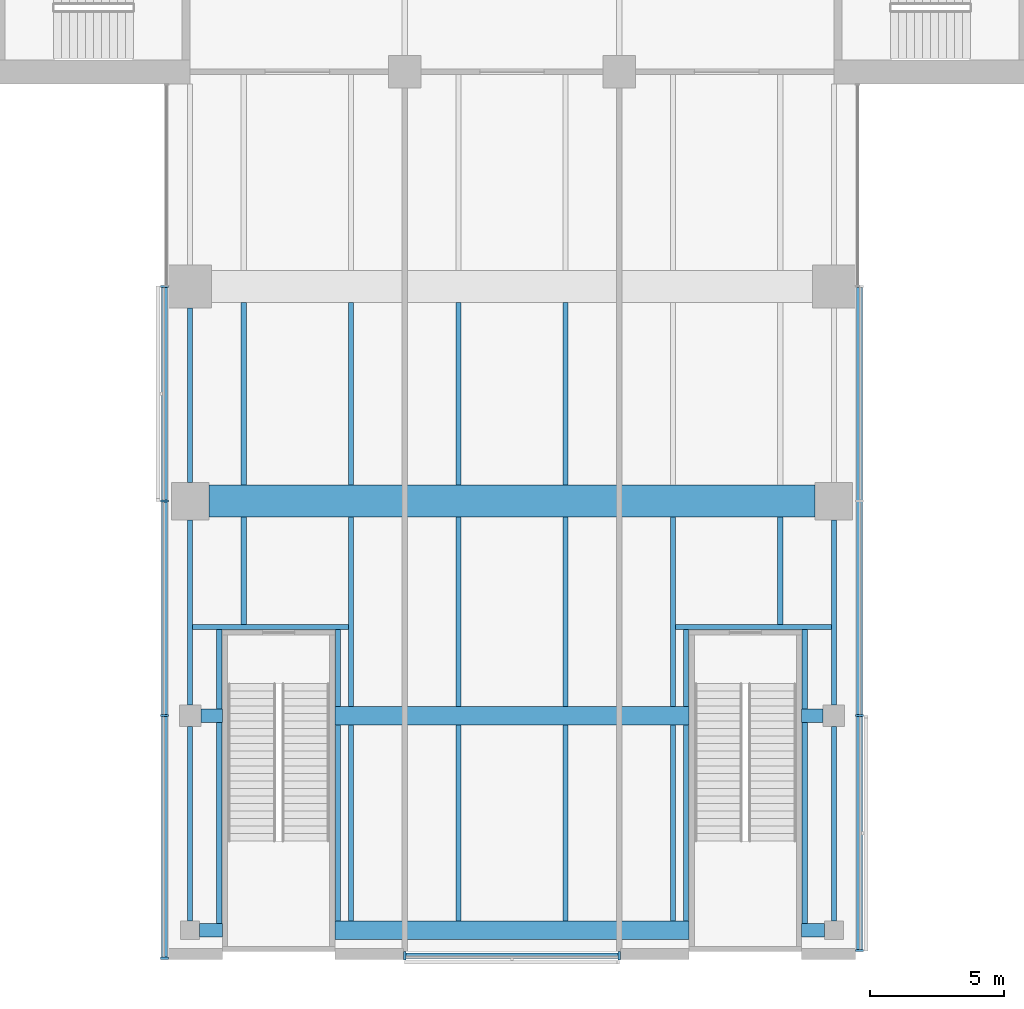
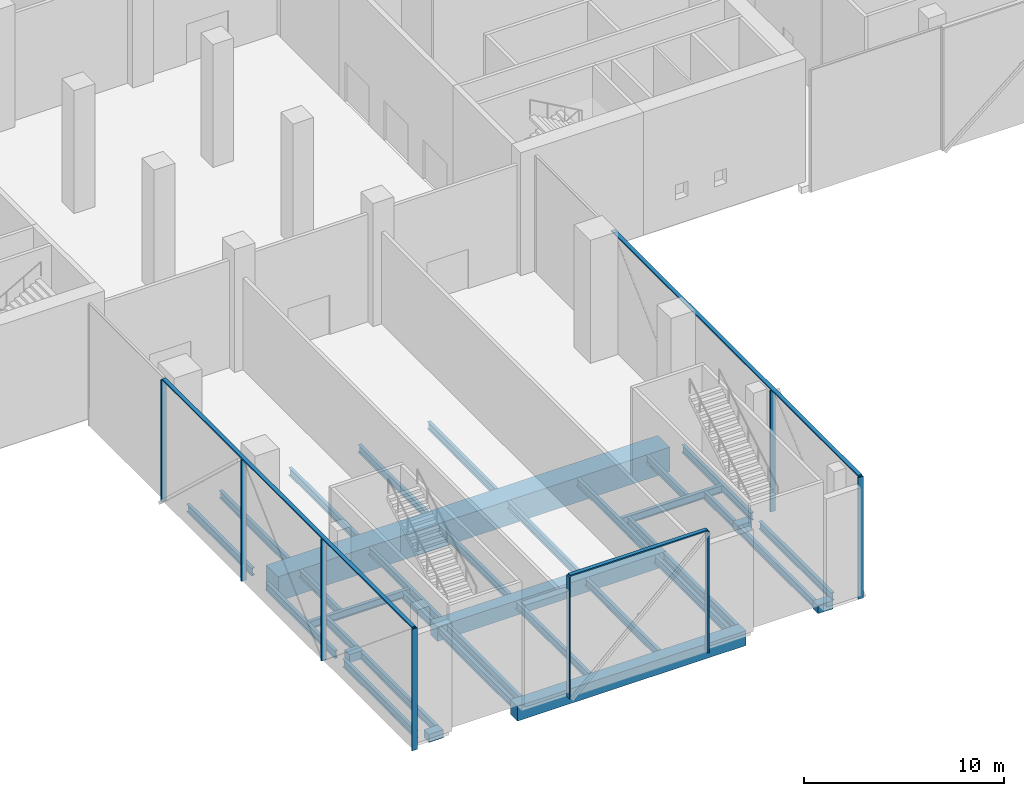
# One storey, part 2 of 25: 36 beams, 11 members, 3 elements without a shape of their own.
"""IFC4 building model written with IfcOpenShell, lengths in metres."""

from ifc_helpers import new_model, si_unit, direction, frame, origin, origin_2d, place, context, subcontext, project, spatial, rectangle, i_section, extrude, material, material_profile, profile_set, type_object, element, aggregate, save


model = new_model("IFC4")

# Units and contexts
model_context = context("Model", 3, precision=1e-05, world=origin(), true_north=direction((0.0, 1.0)))
body_context = subcontext(model_context, "Body", "Model", "MODEL_VIEW")
ifc_project = project(units=[si_unit("LENGTHUNIT", "METRE"), si_unit("AREAUNIT", "SQUARE_METRE"), si_unit("VOLUMEUNIT", "CUBIC_METRE"), si_unit("PLANEANGLEUNIT", "RADIAN"), si_unit("MASSUNIT", "GRAM", prefix="KILO")], contexts=[model_context])

# Site, building, storey
site_placement = place(None, origin())
site = spatial("IfcSite", under=ifc_project, at=site_placement, CompositionType="ELEMENT")
building_placement = place(site_placement, origin())
building = spatial("IfcBuilding", under=site, at=building_placement, Name="Crosswind Convention Tower", CompositionType="ELEMENT")
storey_placement = place(building_placement, frame((0.0, 0.0, 17.5)))
storey = spatial("IfcBuildingStorey", under=building, at=storey_placement, Name="L02", CompositionType="ELEMENT", Elevation=17.5)

# Beams
ifc_material_1 = material(Name="Steel S355", Category="steel")
ifc_material_profile_1 = material_profile(ifc_material_1, i_section(OverallWidth=0.19287109375, OverallDepth=0.467529296875, WebThickness=0.011474609375, FlangeThickness=0.01953125, FilletRadius=0.01025390625, at=origin_2d()), Name="UB 457x191x98")
ifc_profile_set_1 = profile_set([ifc_material_profile_1], Name="Steel S355")
beam_type_1 = type_object("IfcBeamType", Name="Edge beam UB 457x191x98", PredefinedType="SPANDREL", material=ifc_profile_set_1)
beam_1_placement = place(storey_placement, frame((113.0, 56.35009765625, -0.6337890625), z_axis=(0.0, 1.0, 0.0), x_axis=(-1.0, 0.0, 0.0)))
element("IfcBeam", 1, at=beam_1_placement, inside=storey, type_object=beam_type_1, Name="B20 L02 edge beam 5", PredefinedType="SPANDREL", context=body_context, shape_type="SweptSolid", body=[
    extrude(i_section(OverallWidth=0.19287109375, OverallDepth=0.467529296875, WebThickness=0.011474609375, FlangeThickness=0.01953125, FilletRadius=0.01025390625, at=origin_2d()), origin(), (0.0, 0.0, 1.0), 7.25),
])
beam_2_placement = place(storey_placement, frame((113.0, 64.39990234375, -0.6337890625), z_axis=(0.0, 1.0, 0.0), x_axis=(-1.0, 0.0, 0.0)))
element("IfcBeam", 2, at=beam_2_placement, inside=storey, type_object=beam_type_1, Name="B20 L02 edge beam 6", PredefinedType="SPANDREL", context=body_context, shape_type="SweptSolid", body=[
    extrude(i_section(OverallWidth=0.19287109375, OverallDepth=0.467529296875, WebThickness=0.011474609375, FlangeThickness=0.01953125, FilletRadius=0.01025390625, at=origin_2d()), origin(), (0.0, 0.0, 1.0), 6.900146484375),
])
beam_3_placement = place(storey_placement, frame((113.0, 72.699951171875, -0.6337890625), z_axis=(0.0, 1.0, 0.0), x_axis=(-1.0, 0.0, 0.0)))
element("IfcBeam", 3, at=beam_3_placement, inside=storey, type_object=beam_type_1, Name="B20 L02 edge beam 7", PredefinedType="SPANDREL", context=body_context, shape_type="SweptSolid", body=[
    extrude(i_section(OverallWidth=0.19287109375, OverallDepth=0.467529296875, WebThickness=0.011474609375, FlangeThickness=0.01953125, FilletRadius=0.01025390625, at=origin_2d()), origin(), (0.0, 0.0, 1.0), 6.5),
])
beam_4_placement = place(storey_placement, frame((137.0, 56.35009765625, -0.6337890625), z_axis=(0.0, 1.0, 0.0), x_axis=(-1.0, 0.0, 0.0)))
element("IfcBeam", 4, at=beam_4_placement, inside=storey, type_object=beam_type_1, Name="B20 L02 edge beam 13", PredefinedType="SPANDREL", context=body_context, shape_type="SweptSolid", body=[
    extrude(i_section(OverallWidth=0.19287109375, OverallDepth=0.467529296875, WebThickness=0.011474609375, FlangeThickness=0.01953125, FilletRadius=0.01025390625, at=origin_2d()), origin(), (0.0, 0.0, 1.0), 7.25),
])
beam_5_placement = place(storey_placement, frame((137.0, 64.39990234375, -0.6337890625), z_axis=(0.0, 1.0, 0.0), x_axis=(-1.0, 0.0, 0.0)))
element("IfcBeam", 5, at=beam_5_placement, inside=storey, type_object=beam_type_1, Name="B20 L02 edge beam 14", PredefinedType="SPANDREL", context=body_context, shape_type="SweptSolid", body=[
    extrude(i_section(OverallWidth=0.19287109375, OverallDepth=0.467529296875, WebThickness=0.011474609375, FlangeThickness=0.01953125, FilletRadius=0.01025390625, at=origin_2d()), origin(), (0.0, 0.0, 1.0), 6.900146484375),
])

# Curtain wall, members
ifc_material_2 = material(Name="Aluminium unitised curtain wall", Category="aluminium")
curtain_wall_type = type_object("IfcCurtainWallType", Name="PODIUM UNITISED WALL 300", PredefinedType="USERDEFINED", material=ifc_material_2)
curtain_wall_1_placement = place(storey_placement, origin())
curtain_wall_1 = element("IfcCurtainWall", 6, at=curtain_wall_1_placement, inside=storey, type_object=curtain_wall_type, Name="CW1 L02 S-W 1", ObjectType="UNITISED", PredefinedType="USERDEFINED")
ifc_material_3 = material(Name="Aluminium mullion", Category="aluminium")
ifc_material_profile_2 = material_profile(ifc_material_3, rectangle(XDim=0.300048828125, YDim=0.080078125, at=origin_2d()), Name="AL 300X80")
ifc_profile_set_2 = profile_set([ifc_material_profile_2], Name="Aluminium mullion")
member_type_1 = type_object("IfcMemberType", Name="MULLION 80X300", PredefinedType="MULLION", material=ifc_profile_set_2)
member_1_placement = place(storey_placement, frame((112.050048828125, 80.0, -0.39990234375), z_axis=(0.0, 0.0, 1.0), x_axis=(-1.0, 0.0, 0.0)))
member_1 = element("IfcMember", 7, at=member_1_placement, type_object=member_type_1, Name="CW1 mullion 1", PredefinedType="MULLION", context=body_context, shape_type="SweptSolid", body=[
    extrude(rectangle(XDim=0.300048828125, YDim=0.080078125, at=origin_2d()), origin(), (0.0, 0.0, 1.0), 7.419921875),
])
member_2_placement = place(storey_placement, frame((112.050048828125, 72.0, -0.39990234375), z_axis=(0.0, 0.0, 1.0), x_axis=(-1.0, 0.0, 0.0)))
member_2 = element("IfcMember", 8, at=member_2_placement, type_object=member_type_1, Name="CW1 mullion 2", PredefinedType="MULLION", context=body_context, shape_type="SweptSolid", body=[
    extrude(rectangle(XDim=0.300048828125, YDim=0.080078125, at=origin_2d()), origin(), (0.0, 0.0, 1.0), 7.419921875),
])
member_3_placement = place(storey_placement, frame((112.050048828125, 64.0, -0.39990234375), z_axis=(0.0, 0.0, 1.0), x_axis=(-1.0, 0.0, 0.0)))
member_3 = element("IfcMember", 9, at=member_3_placement, type_object=member_type_1, Name="CW1 mullion 3", PredefinedType="MULLION", context=body_context, shape_type="SweptSolid", body=[
    extrude(rectangle(XDim=0.300048828125, YDim=0.080078125, at=origin_2d()), origin(), (0.0, 0.0, 1.0), 7.419921875),
])
member_4_placement = place(storey_placement, frame((112.050048828125, 54.955078125, -0.39990234375), z_axis=(0.0, 0.0, 1.0), x_axis=(-1.0, 0.0, 0.0)))
member_4 = element("IfcMember", 10, at=member_4_placement, type_object=member_type_1, Name="CW1 mullion 4", PredefinedType="MULLION", context=body_context, shape_type="SweptSolid", body=[
    extrude(rectangle(XDim=0.300048828125, YDim=0.080078125, at=origin_2d()), origin(), (0.0, 0.0, 1.0), 7.419921875),
])

curtain_wall_2_placement = place(storey_placement, origin())
curtain_wall_2 = element("IfcCurtainWall", 11, at=curtain_wall_2_placement, inside=storey, type_object=curtain_wall_type, Name="CW1 L02 S-TIP 1", ObjectType="UNITISED", PredefinedType="USERDEFINED")
member_5_placement = place(storey_placement, frame((121.0, 55.050048828125, -0.39990234375), z_axis=(0.0, 0.0, 1.0), x_axis=(0.0, -1.0, 0.0)))
member_5 = element("IfcMember", 12, at=member_5_placement, type_object=member_type_1, Name="CW1 mullion 1", PredefinedType="MULLION", context=body_context, shape_type="SweptSolid", body=[
    extrude(rectangle(XDim=0.300048828125, YDim=0.080078125, at=origin_2d()), origin(), (0.0, 0.0, 1.0), 7.419921875),
])
member_6_placement = place(storey_placement, frame((129.0, 55.050048828125, -0.39990234375), z_axis=(0.0, 0.0, 1.0), x_axis=(0.0, -1.0, 0.0)))
member_6 = element("IfcMember", 13, at=member_6_placement, type_object=member_type_1, Name="CW1 mullion 2", PredefinedType="MULLION", context=body_context, shape_type="SweptSolid", body=[
    extrude(rectangle(XDim=0.300048828125, YDim=0.080078125, at=origin_2d()), origin(), (0.0, 0.0, 1.0), 7.419921875),
])

curtain_wall_3_placement = place(storey_placement, origin())
curtain_wall_3 = element("IfcCurtainWall", 14, at=curtain_wall_3_placement, inside=storey, type_object=curtain_wall_type, Name="CW1 L02 S-E 1", ObjectType="UNITISED", PredefinedType="USERDEFINED")
member_7_placement = place(storey_placement, frame((137.949951171875, 55.239990234375, -0.39990234375), z_axis=(0.0, 0.0, 1.0), x_axis=(1.0, 0.0, 0.0)))
member_7 = element("IfcMember", 15, at=member_7_placement, type_object=member_type_1, Name="CW1 mullion 1", PredefinedType="MULLION", context=body_context, shape_type="SweptSolid", body=[
    extrude(rectangle(XDim=0.300048828125, YDim=0.080078125, at=origin_2d()), origin(), (0.0, 0.0, 1.0), 7.419921875),
])
member_8_placement = place(storey_placement, frame((137.949951171875, 64.0, -0.39990234375), z_axis=(0.0, 0.0, 1.0), x_axis=(1.0, 0.0, 0.0)))
member_8 = element("IfcMember", 16, at=member_8_placement, type_object=member_type_1, Name="CW1 mullion 2", PredefinedType="MULLION", context=body_context, shape_type="SweptSolid", body=[
    extrude(rectangle(XDim=0.300048828125, YDim=0.080078125, at=origin_2d()), origin(), (0.0, 0.0, 1.0), 7.419921875),
])

# Beams
ifc_material_4 = material(Name="Concrete C70/85", Category="concrete")
ifc_material_profile_3 = material_profile(ifc_material_4, rectangle(XDim=1.199951171875, YDim=1.5, at=origin_2d()), Name="RC 1200X1500")
ifc_profile_set_3 = profile_set([ifc_material_profile_3], Name="Concrete C70/85")
beam_type_2 = type_object("IfcBeamType", Name="Prestressed concrete girder RC 1200X1500", PredefinedType="BEAM", material=ifc_profile_set_3)
beam_6_placement = place(storey_placement, frame((113.699951171875, 72.0, -1.14990234375), z_axis=(1.0, 0.0, 0.0), x_axis=(0.0, 1.0, 0.0)))
element("IfcBeam", 17, at=beam_6_placement, inside=storey, type_object=beam_type_2, Name="B39 L02 prestressed concrete girder 1", PredefinedType="BEAM", context=body_context, shape_type="SweptSolid", body=[
    extrude(rectangle(XDim=1.199951171875, YDim=1.5, at=origin_2d()), origin(), (0.0, 0.0, 1.0), 22.60009765625),
])
ifc_material_5 = material(Name="Concrete C60/75", Category="concrete")
ifc_material_profile_4 = material_profile(ifc_material_5, rectangle(XDim=0.699951171875, YDim=0.89990234375, at=origin_2d()), Name="RC 700X900")
ifc_profile_set_4 = profile_set([ifc_material_profile_4], Name="Concrete C60/75")
beam_type_3 = type_object("IfcBeamType", Name="Prestressed concrete girder between stair walls RC 700X900", PredefinedType="BEAM", material=ifc_profile_set_4)
for number, where, z_axis, x_axis, name in (
    (18, (118.39990234375, 56.0, -0.85009765625), (1.0, 0.0, 0.0), (0.0, 1.0, 0.0), "B41 L02 prestressed concrete girder between stair walls 3"),
    (19, (118.39990234375, 64.0, -0.85009765625), (1.0, 0.0, 0.0), (0.0, 1.0, 0.0), "B41 L02 prestressed concrete girder between stair walls 4"),
):
    element("IfcBeam", number, at=place(storey_placement, frame(where, z_axis=z_axis, x_axis=x_axis)), inside=storey, type_object=beam_type_3, Name=name, PredefinedType="BEAM", context=body_context, shape_type="SweptSolid", body=[
        extrude(rectangle(XDim=0.699951171875, YDim=0.89990234375, at=origin_2d()), origin(), (0.0, 0.0, 1.0), 13.2001953125),
    ])
ifc_material_profile_5 = material_profile(ifc_material_1, i_section(OverallWidth=0.19140625, OverallDepth=0.460205078125, WebThickness=0.010009765625, FlangeThickness=0.01611328125, FilletRadius=0.01025390625, at=origin_2d()), Name="UB 457x191x82")
ifc_profile_set_5 = profile_set([ifc_material_profile_5], Name="Steel S355")
beam_type_4 = type_object("IfcBeamType", Name="Secondary beam UB 457x191x82", PredefinedType="JOIST", material=ifc_profile_set_5)
beam_7_placement = place(storey_placement, frame((115.0, 67.406005859375, -0.630126953125), z_axis=(0.0, 1.0, 0.0), x_axis=(-1.0, 0.0, 0.0)))
element("IfcBeam", 20, at=beam_7_placement, inside=storey, type_object=beam_type_4, Name="B13 L02 secondary beam 14", PredefinedType="JOIST", context=body_context, shape_type="SweptSolid", body=[
    extrude(i_section(OverallWidth=0.19140625, OverallDepth=0.460205078125, WebThickness=0.010009765625, FlangeThickness=0.01611328125, FilletRadius=0.01025390625, at=origin_2d()), origin(), (0.0, 0.0, 1.0), 3.993896484375),
])
beam_8_placement = place(storey_placement, frame((115.0, 72.60009765625, -0.630126953125), z_axis=(0.0, 1.0, 0.0), x_axis=(-1.0, 0.0, 0.0)))
element("IfcBeam", 21, at=beam_8_placement, inside=storey, type_object=beam_type_4, Name="B13 L02 secondary beam 15", PredefinedType="JOIST", context=body_context, shape_type="SweptSolid", body=[
    extrude(i_section(OverallWidth=0.19140625, OverallDepth=0.460205078125, WebThickness=0.010009765625, FlangeThickness=0.01611328125, FilletRadius=0.01025390625, at=origin_2d()), origin(), (0.0, 0.0, 1.0), 6.7998046875),
])
beam_9_placement = place(storey_placement, frame((119.0, 56.35009765625, -0.630126953125), z_axis=(0.0, 1.0, 0.0), x_axis=(-1.0, 0.0, 0.0)))
element("IfcBeam", 22, at=beam_9_placement, inside=storey, type_object=beam_type_4, Name="B13 L02 secondary beam 20", PredefinedType="JOIST", context=body_context, shape_type="SweptSolid", body=[
    extrude(i_section(OverallWidth=0.19140625, OverallDepth=0.460205078125, WebThickness=0.010009765625, FlangeThickness=0.01611328125, FilletRadius=0.01025390625, at=origin_2d()), origin(), (0.0, 0.0, 1.0), 7.2998046875),
])
beam_10_placement = place(storey_placement, frame((119.0, 64.35009765625, -0.630126953125), z_axis=(0.0, 1.0, 0.0), x_axis=(-1.0, 0.0, 0.0)))
element("IfcBeam", 23, at=beam_10_placement, inside=storey, type_object=beam_type_4, Name="B13 L02 secondary beam 21", PredefinedType="JOIST", context=body_context, shape_type="SweptSolid", body=[
    extrude(i_section(OverallWidth=0.19140625, OverallDepth=0.460205078125, WebThickness=0.010009765625, FlangeThickness=0.01611328125, FilletRadius=0.01025390625, at=origin_2d()), origin(), (0.0, 0.0, 1.0), 7.0498046875),
])
beam_11_placement = place(storey_placement, frame((119.0, 72.60009765625, -0.630126953125), z_axis=(0.0, 1.0, 0.0), x_axis=(-1.0, 0.0, 0.0)))
element("IfcBeam", 24, at=beam_11_placement, inside=storey, type_object=beam_type_4, Name="B13 L02 secondary beam 22", PredefinedType="JOIST", context=body_context, shape_type="SweptSolid", body=[
    extrude(i_section(OverallWidth=0.19140625, OverallDepth=0.460205078125, WebThickness=0.010009765625, FlangeThickness=0.01611328125, FilletRadius=0.01025390625, at=origin_2d()), origin(), (0.0, 0.0, 1.0), 6.7998046875),
])
beam_12_placement = place(storey_placement, frame((123.0, 56.35009765625, -0.630126953125), z_axis=(0.0, 1.0, 0.0), x_axis=(-1.0, 0.0, 0.0)))
element("IfcBeam", 25, at=beam_12_placement, inside=storey, type_object=beam_type_4, Name="B13 L02 secondary beam 31", PredefinedType="JOIST", context=body_context, shape_type="SweptSolid", body=[
    extrude(i_section(OverallWidth=0.19140625, OverallDepth=0.460205078125, WebThickness=0.010009765625, FlangeThickness=0.01611328125, FilletRadius=0.01025390625, at=origin_2d()), origin(), (0.0, 0.0, 1.0), 7.2998046875),
])
beam_13_placement = place(storey_placement, frame((123.0, 64.35009765625, -0.630126953125), z_axis=(0.0, 1.0, 0.0), x_axis=(-1.0, 0.0, 0.0)))
element("IfcBeam", 26, at=beam_13_placement, inside=storey, type_object=beam_type_4, Name="B13 L02 secondary beam 32", PredefinedType="JOIST", context=body_context, shape_type="SweptSolid", body=[
    extrude(i_section(OverallWidth=0.19140625, OverallDepth=0.460205078125, WebThickness=0.010009765625, FlangeThickness=0.01611328125, FilletRadius=0.01025390625, at=origin_2d()), origin(), (0.0, 0.0, 1.0), 7.0498046875),
])
beam_14_placement = place(storey_placement, frame((123.0, 72.60009765625, -0.630126953125), z_axis=(0.0, 1.0, 0.0), x_axis=(-1.0, 0.0, 0.0)))
element("IfcBeam", 27, at=beam_14_placement, inside=storey, type_object=beam_type_4, Name="B13 L02 secondary beam 33", PredefinedType="JOIST", context=body_context, shape_type="SweptSolid", body=[
    extrude(i_section(OverallWidth=0.19140625, OverallDepth=0.460205078125, WebThickness=0.010009765625, FlangeThickness=0.01611328125, FilletRadius=0.01025390625, at=origin_2d()), origin(), (0.0, 0.0, 1.0), 6.7998046875),
])
beam_15_placement = place(storey_placement, frame((127.0, 56.35009765625, -0.630126953125), z_axis=(0.0, 1.0, 0.0), x_axis=(-1.0, 0.0, 0.0)))
element("IfcBeam", 28, at=beam_15_placement, inside=storey, type_object=beam_type_4, Name="B13 L02 secondary beam 39", PredefinedType="JOIST", context=body_context, shape_type="SweptSolid", body=[
    extrude(i_section(OverallWidth=0.19140625, OverallDepth=0.460205078125, WebThickness=0.010009765625, FlangeThickness=0.01611328125, FilletRadius=0.01025390625, at=origin_2d()), origin(), (0.0, 0.0, 1.0), 7.2998046875),
])
beam_16_placement = place(storey_placement, frame((127.0, 64.35009765625, -0.630126953125), z_axis=(0.0, 1.0, 0.0), x_axis=(-1.0, 0.0, 0.0)))
element("IfcBeam", 29, at=beam_16_placement, inside=storey, type_object=beam_type_4, Name="B13 L02 secondary beam 40", PredefinedType="JOIST", context=body_context, shape_type="SweptSolid", body=[
    extrude(i_section(OverallWidth=0.19140625, OverallDepth=0.460205078125, WebThickness=0.010009765625, FlangeThickness=0.01611328125, FilletRadius=0.01025390625, at=origin_2d()), origin(), (0.0, 0.0, 1.0), 7.0498046875),
])
beam_17_placement = place(storey_placement, frame((127.0, 72.60009765625, -0.630126953125), z_axis=(0.0, 1.0, 0.0), x_axis=(-1.0, 0.0, 0.0)))
element("IfcBeam", 30, at=beam_17_placement, inside=storey, type_object=beam_type_4, Name="B13 L02 secondary beam 41", PredefinedType="JOIST", context=body_context, shape_type="SweptSolid", body=[
    extrude(i_section(OverallWidth=0.19140625, OverallDepth=0.460205078125, WebThickness=0.010009765625, FlangeThickness=0.01611328125, FilletRadius=0.01025390625, at=origin_2d()), origin(), (0.0, 0.0, 1.0), 6.7998046875),
])
beam_18_placement = place(storey_placement, frame((131.0, 56.35009765625, -0.630126953125), z_axis=(0.0, 1.0, 0.0), x_axis=(-1.0, 0.0, 0.0)))
element("IfcBeam", 31, at=beam_18_placement, inside=storey, type_object=beam_type_4, Name="B13 L02 secondary beam 50", PredefinedType="JOIST", context=body_context, shape_type="SweptSolid", body=[
    extrude(i_section(OverallWidth=0.19140625, OverallDepth=0.460205078125, WebThickness=0.010009765625, FlangeThickness=0.01611328125, FilletRadius=0.01025390625, at=origin_2d()), origin(), (0.0, 0.0, 1.0), 7.2998046875),
])
beam_19_placement = place(storey_placement, frame((131.0, 64.35009765625, -0.630126953125), z_axis=(0.0, 1.0, 0.0), x_axis=(-1.0, 0.0, 0.0)))
element("IfcBeam", 32, at=beam_19_placement, inside=storey, type_object=beam_type_4, Name="B13 L02 secondary beam 51", PredefinedType="JOIST", context=body_context, shape_type="SweptSolid", body=[
    extrude(i_section(OverallWidth=0.19140625, OverallDepth=0.460205078125, WebThickness=0.010009765625, FlangeThickness=0.01611328125, FilletRadius=0.01025390625, at=origin_2d()), origin(), (0.0, 0.0, 1.0), 7.0498046875),
])
beam_20_placement = place(storey_placement, frame((135.0, 67.406005859375, -0.630126953125), z_axis=(0.0, 1.0, 0.0), x_axis=(-1.0, 0.0, 0.0)))
element("IfcBeam", 33, at=beam_20_placement, inside=storey, type_object=beam_type_4, Name="B13 L02 secondary beam 58", PredefinedType="JOIST", context=body_context, shape_type="SweptSolid", body=[
    extrude(i_section(OverallWidth=0.19140625, OverallDepth=0.460205078125, WebThickness=0.010009765625, FlangeThickness=0.01611328125, FilletRadius=0.01025390625, at=origin_2d()), origin(), (0.0, 0.0, 1.0), 3.993896484375),
])
ifc_material_profile_6 = material_profile(ifc_material_5, rectangle(XDim=0.5, YDim=0.5, at=origin_2d()), Name="RC 500X500")
ifc_profile_set_6 = profile_set([ifc_material_profile_6], Name="Concrete C60/75")
beam_type_5 = type_object("IfcBeamType", Name="Slab edge tie beam RC 500X500", PredefinedType="BEAM", material=ifc_profile_set_6)
beam_21_placement = place(storey_placement, frame((113.35009765625, 56.0, -0.64990234375), z_axis=(1.0, 0.0, 0.0), x_axis=(0.0, 1.0, 0.0)))
element("IfcBeam", 34, at=beam_21_placement, inside=storey, type_object=beam_type_5, Name="B42 L02 slab edge tie beam 5", PredefinedType="BEAM", context=body_context, shape_type="SweptSolid", body=[
    extrude(rectangle(XDim=0.5, YDim=0.5, at=origin_2d()), origin(), (0.0, 0.0, 1.0), 0.849853515625),
])
beam_22_placement = place(storey_placement, frame((113.39990234375, 64.0, -0.64990234375), z_axis=(1.0, 0.0, 0.0), x_axis=(0.0, 1.0, 0.0)))
element("IfcBeam", 35, at=beam_22_placement, inside=storey, type_object=beam_type_5, Name="B42 L02 slab edge tie beam 7", PredefinedType="BEAM", context=body_context, shape_type="SweptSolid", body=[
    extrude(rectangle(XDim=0.5, YDim=0.5, at=origin_2d()), origin(), (0.0, 0.0, 1.0), 0.800048828125),
])
beam_23_placement = place(storey_placement, frame((135.800048828125, 56.0, -0.64990234375), z_axis=(1.0, 0.0, 0.0), x_axis=(0.0, 1.0, 0.0)))
element("IfcBeam", 36, at=beam_23_placement, inside=storey, type_object=beam_type_5, Name="B42 L02 slab edge tie beam 9", PredefinedType="BEAM", context=body_context, shape_type="SweptSolid", body=[
    extrude(rectangle(XDim=0.5, YDim=0.5, at=origin_2d()), origin(), (0.0, 0.0, 1.0), 0.849853515625),
])
beam_24_placement = place(storey_placement, frame((135.800048828125, 64.0, -0.64990234375), z_axis=(1.0, 0.0, 0.0), x_axis=(0.0, 1.0, 0.0)))
element("IfcBeam", 37, at=beam_24_placement, inside=storey, type_object=beam_type_5, Name="B42 L02 slab edge tie beam 10", PredefinedType="BEAM", context=body_context, shape_type="SweptSolid", body=[
    extrude(rectangle(XDim=0.5, YDim=0.5, at=origin_2d()), origin(), (0.0, 0.0, 1.0), 0.800048828125),
])

# Member
ifc_material_6 = material(Name="Aluminium transom", Category="aluminium")
ifc_material_profile_7 = material_profile(ifc_material_6, rectangle(XDim=0.219970703125, YDim=0.080078125, at=origin_2d()), Name="AL 220X80")
ifc_profile_set_7 = profile_set([ifc_material_profile_7], Name="Aluminium transom")
member_type_2 = type_object("IfcMemberType", Name="TRANSOM 80X220", PredefinedType="USERDEFINED", material=ifc_profile_set_7)
member_9_placement = place(storey_placement, frame((112.050048828125, 79.9599609375, 7.06005859375), z_axis=(0.0, -1.0, 0.0), x_axis=(1.0, 0.0, 0.0)))
member_9 = element("IfcMember", 38, at=member_9_placement, type_object=member_type_2, Name="CW1 transom", ObjectType="TRANSOM", PredefinedType="USERDEFINED", context=body_context, shape_type="SweptSolid", body=[
    extrude(rectangle(XDim=0.219970703125, YDim=0.080078125, at=origin_2d()), origin(), (0.0, 0.0, 1.0), 24.96484375),
])

aggregate(curtain_wall_1, [member_1, member_2, member_3, member_4, member_9])

member_10_placement = place(storey_placement, frame((121.0400390625, 55.050048828125, 7.06005859375), z_axis=(1.0, 0.0, 0.0), x_axis=(0.0, 1.0, 0.0)))
member_10 = element("IfcMember", 39, at=member_10_placement, type_object=member_type_2, Name="CW1 transom", ObjectType="TRANSOM", PredefinedType="USERDEFINED", context=body_context, shape_type="SweptSolid", body=[
    extrude(rectangle(XDim=0.219970703125, YDim=0.080078125, at=origin_2d()), origin(), (0.0, 0.0, 1.0), 7.919921875),
])

aggregate(curtain_wall_2, [member_5, member_6, member_10])

member_11_placement = place(storey_placement, frame((137.949951171875, 55.280029296875, 7.06005859375), z_axis=(0.0, 1.0, 0.0), x_axis=(-1.0, 0.0, 0.0)))
member_11 = element("IfcMember", 40, at=member_11_placement, type_object=member_type_2, Name="CW1 transom", ObjectType="TRANSOM", PredefinedType="USERDEFINED", context=body_context, shape_type="SweptSolid", body=[
    extrude(rectangle(XDim=0.219970703125, YDim=0.080078125, at=origin_2d()), origin(), (0.0, 0.0, 1.0), 24.679931640625),
])

aggregate(curtain_wall_3, [member_7, member_8, member_11])

# Beams
ifc_material_profile_8 = material_profile(ifc_material_1, i_section(OverallWidth=0.19189453125, OverallDepth=0.463623046875, WebThickness=0.010498046875, FlangeThickness=0.017578125, FilletRadius=0.01025390625, at=origin_2d()), Name="UB 457x191x90")
ifc_profile_set_8 = profile_set([ifc_material_profile_8], Name="Steel S355")
beam_type_6 = type_object("IfcBeamType", Name="Trimmer beam UB 457x191x90", PredefinedType="BEAM", material=ifc_profile_set_8)
beam_25_placement = place(storey_placement, frame((113.096435546875, 67.31005859375, -0.6318359375), z_axis=(1.0, 0.0, 0.0), x_axis=(0.0, 1.0, 0.0)))
element("IfcBeam", 41, at=beam_25_placement, inside=storey, type_object=beam_type_6, Name="B33 L02 trimmer beam 11", PredefinedType="BEAM", context=body_context, shape_type="SweptSolid", body=[
    extrude(i_section(OverallWidth=0.19189453125, OverallDepth=0.463623046875, WebThickness=0.010498046875, FlangeThickness=0.017578125, FilletRadius=0.01025390625, at=origin_2d()), origin(), (0.0, 0.0, 1.0), 5.807861328125),
])
beam_26_placement = place(storey_placement, frame((114.090087890625, 63.75, -0.6318359375), z_axis=(0.0, -1.0, 0.0), x_axis=(1.0, 0.0, 0.0)))
element("IfcBeam", 42, at=beam_26_placement, inside=storey, type_object=beam_type_6, Name="B33 L02 trimmer beam 13", PredefinedType="BEAM", context=body_context, shape_type="SweptSolid", body=[
    extrude(i_section(OverallWidth=0.19189453125, OverallDepth=0.463623046875, WebThickness=0.010498046875, FlangeThickness=0.017578125, FilletRadius=0.01025390625, at=origin_2d()), origin(), (0.0, 0.0, 1.0), 7.5),
])
beam_27_placement = place(storey_placement, frame((114.090087890625, 67.214111328125, -0.6318359375), z_axis=(0.0, -1.0, 0.0), x_axis=(1.0, 0.0, 0.0)))
element("IfcBeam", 43, at=beam_27_placement, inside=storey, type_object=beam_type_6, Name="B33 L02 trimmer beam 14", PredefinedType="BEAM", context=body_context, shape_type="SweptSolid", body=[
    extrude(i_section(OverallWidth=0.19189453125, OverallDepth=0.463623046875, WebThickness=0.010498046875, FlangeThickness=0.017578125, FilletRadius=0.01025390625, at=origin_2d()), origin(), (0.0, 0.0, 1.0), 2.964111328125),
])
beam_28_placement = place(storey_placement, frame((118.510009765625, 63.64990234375, -0.6318359375), z_axis=(0.0, -1.0, 0.0), x_axis=(1.0, 0.0, 0.0)))
element("IfcBeam", 44, at=beam_28_placement, inside=storey, type_object=beam_type_6, Name="B33 L02 trimmer beam 17", PredefinedType="BEAM", context=body_context, shape_type="SweptSolid", body=[
    extrude(i_section(OverallWidth=0.19189453125, OverallDepth=0.463623046875, WebThickness=0.010498046875, FlangeThickness=0.017578125, FilletRadius=0.01025390625, at=origin_2d()), origin(), (0.0, 0.0, 1.0), 7.2998046875),
])
beam_29_placement = place(storey_placement, frame((118.510009765625, 67.214111328125, -0.6318359375), z_axis=(0.0, -1.0, 0.0), x_axis=(1.0, 0.0, 0.0)))
element("IfcBeam", 45, at=beam_29_placement, inside=storey, type_object=beam_type_6, Name="B33 L02 trimmer beam 18", PredefinedType="BEAM", context=body_context, shape_type="SweptSolid", body=[
    extrude(i_section(OverallWidth=0.19189453125, OverallDepth=0.463623046875, WebThickness=0.010498046875, FlangeThickness=0.017578125, FilletRadius=0.01025390625, at=origin_2d()), origin(), (0.0, 0.0, 1.0), 2.864013671875),
])
beam_30_placement = place(storey_placement, frame((131.095703125, 67.31005859375, -0.6318359375), z_axis=(1.0, 0.0, 0.0), x_axis=(0.0, 1.0, 0.0)))
element("IfcBeam", 46, at=beam_30_placement, inside=storey, type_object=beam_type_6, Name="B33 L02 trimmer beam 21", PredefinedType="BEAM", context=body_context, shape_type="SweptSolid", body=[
    extrude(i_section(OverallWidth=0.19189453125, OverallDepth=0.463623046875, WebThickness=0.010498046875, FlangeThickness=0.017578125, FilletRadius=0.01025390625, at=origin_2d()), origin(), (0.0, 0.0, 1.0), 5.807861328125),
])
beam_31_placement = place(storey_placement, frame((131.489990234375, 63.64990234375, -0.6318359375), z_axis=(0.0, -1.0, 0.0), x_axis=(1.0, 0.0, 0.0)))
element("IfcBeam", 47, at=beam_31_placement, inside=storey, type_object=beam_type_6, Name="B33 L02 trimmer beam 23", PredefinedType="BEAM", context=body_context, shape_type="SweptSolid", body=[
    extrude(i_section(OverallWidth=0.19189453125, OverallDepth=0.463623046875, WebThickness=0.010498046875, FlangeThickness=0.017578125, FilletRadius=0.01025390625, at=origin_2d()), origin(), (0.0, 0.0, 1.0), 7.2998046875),
])
beam_32_placement = place(storey_placement, frame((131.489990234375, 67.214111328125, -0.6318359375), z_axis=(0.0, -1.0, 0.0), x_axis=(1.0, 0.0, 0.0)))
element("IfcBeam", 48, at=beam_32_placement, inside=storey, type_object=beam_type_6, Name="B33 L02 trimmer beam 24", PredefinedType="BEAM", context=body_context, shape_type="SweptSolid", body=[
    extrude(i_section(OverallWidth=0.19189453125, OverallDepth=0.463623046875, WebThickness=0.010498046875, FlangeThickness=0.017578125, FilletRadius=0.01025390625, at=origin_2d()), origin(), (0.0, 0.0, 1.0), 2.864013671875),
])
beam_33_placement = place(storey_placement, frame((135.909912109375, 63.75, -0.6318359375), z_axis=(0.0, -1.0, 0.0), x_axis=(1.0, 0.0, 0.0)))
element("IfcBeam", 49, at=beam_33_placement, inside=storey, type_object=beam_type_6, Name="B33 L02 trimmer beam 27", PredefinedType="BEAM", context=body_context, shape_type="SweptSolid", body=[
    extrude(i_section(OverallWidth=0.19189453125, OverallDepth=0.463623046875, WebThickness=0.010498046875, FlangeThickness=0.017578125, FilletRadius=0.01025390625, at=origin_2d()), origin(), (0.0, 0.0, 1.0), 7.5),
])
beam_34_placement = place(storey_placement, frame((135.909912109375, 67.214111328125, -0.6318359375), z_axis=(0.0, -1.0, 0.0), x_axis=(1.0, 0.0, 0.0)))
element("IfcBeam", 50, at=beam_34_placement, inside=storey, type_object=beam_type_6, Name="B33 L02 trimmer beam 28", PredefinedType="BEAM", context=body_context, shape_type="SweptSolid", body=[
    extrude(i_section(OverallWidth=0.19189453125, OverallDepth=0.463623046875, WebThickness=0.010498046875, FlangeThickness=0.017578125, FilletRadius=0.01025390625, at=origin_2d()), origin(), (0.0, 0.0, 1.0), 2.964111328125),
])

save(model, "model.ifc")
